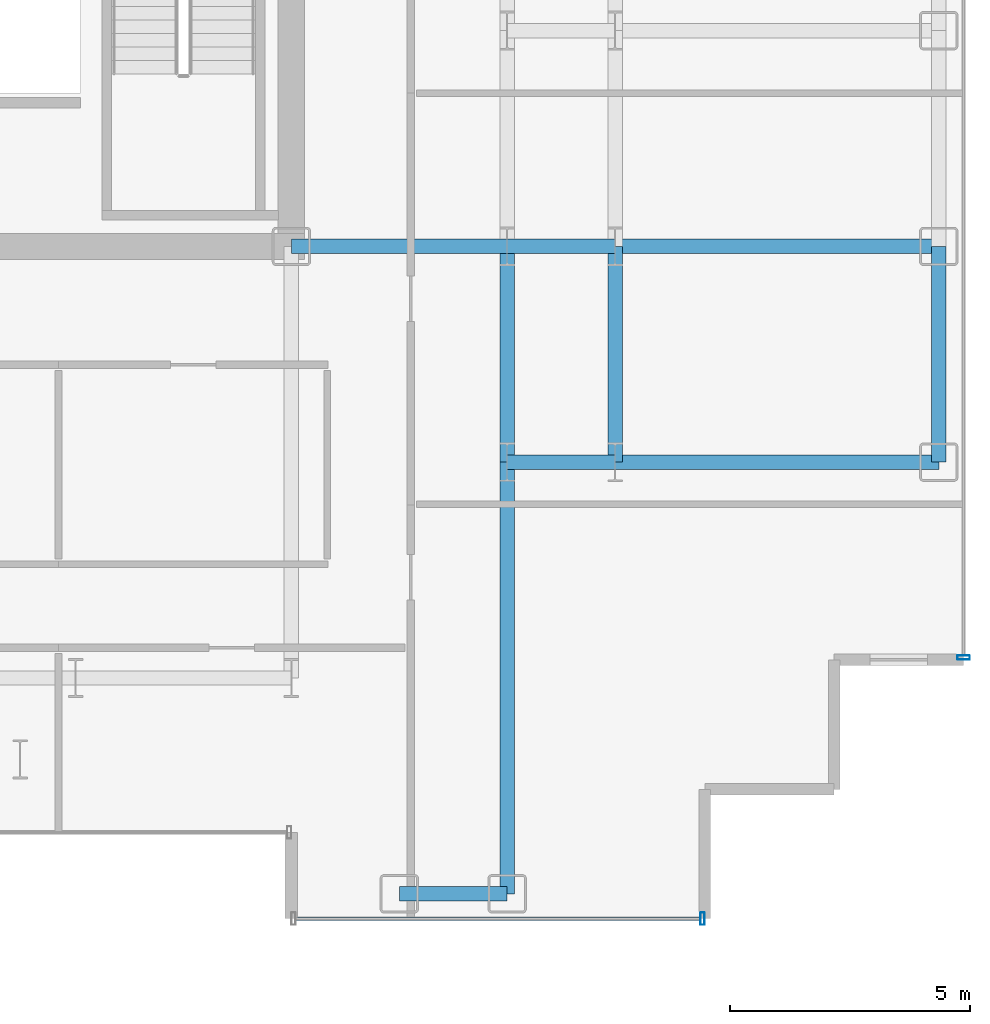
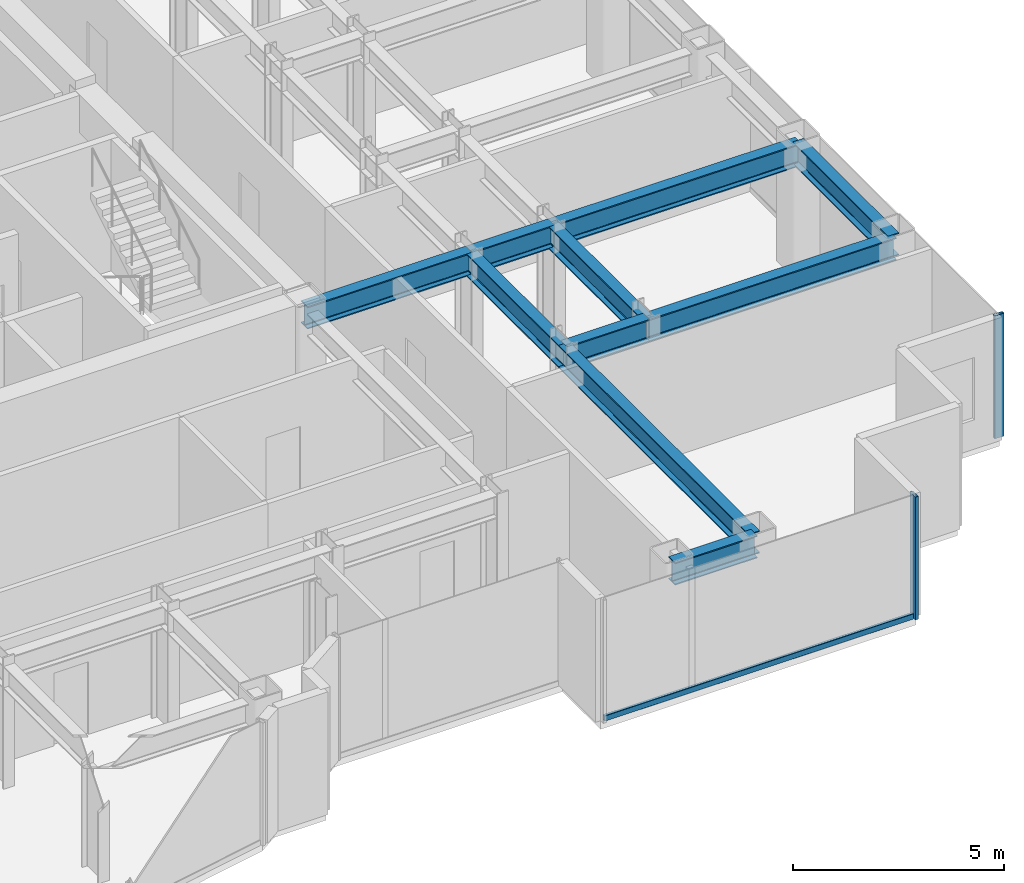
# One storey, part 8 of 23: 10 beams, 3 members, 2 elements without a shape of their own.
"""IFC4 building model written with IfcOpenShell, lengths in metres."""

from ifc_helpers import new_model, si_unit, direction, frame, origin, origin_2d, place, context, subcontext, project, spatial, hollow_rectangle, i_section, extrude, source, transform, mapped, material, layer, layer_set, material_profile, profile_set, type_object, element, aggregate, save


model = new_model("IFC4")

# Units and contexts
model_context = context("Model", 3, precision=1e-05, world=origin(), true_north=direction((0.0, 1.0)))
body_context = subcontext(model_context, "Body", "Model", "MODEL_VIEW")
ifc_project = project(units=[si_unit("LENGTHUNIT", "METRE"), si_unit("AREAUNIT", "SQUARE_METRE"), si_unit("VOLUMEUNIT", "CUBIC_METRE"), si_unit("PLANEANGLEUNIT", "RADIAN"), si_unit("MASSUNIT", "GRAM", prefix="KILO")], contexts=[model_context])

# Site, building, storey
site_placement = place(None, origin())
site = spatial("IfcSite", under=ifc_project, at=site_placement, CompositionType="ELEMENT")
building_placement = place(site_placement, origin())
building = spatial("IfcBuilding", under=site, at=building_placement, Name="Nefas-Gora Pilgrimage Tower", CompositionType="ELEMENT")
storey_placement = place(building_placement, frame((0.0, 0.0, 190.60009765625)))
storey = spatial("IfcBuildingStorey", under=building, at=storey_placement, Name="L47", CompositionType="ELEMENT", Elevation=190.60009765625)

# Beams
ifc_material_1 = material(Name="Steel S355", Category="steel")
ifc_material_profile_1 = material_profile(ifc_material_1, i_section(OverallWidth=0.300048828125, OverallDepth=0.64990234375, WebThickness=0.01611328125, FlangeThickness=0.031005859375, FilletRadius=0.027099609375, at=origin_2d()), Name="HEB 650")
ifc_profile_set_1 = profile_set([ifc_material_profile_1], Name="Steel S355")
beam_type_1 = type_object("IfcBeamType", Name="BM-SPN-HEB500", PredefinedType="SPANDREL", material=ifc_profile_set_1)
shared_shape_1 = source(origin(), body_context, "Body", "SweptSolid", [
    extrude(i_section(OverallWidth=0.300048828125, OverallDepth=0.64990234375, WebThickness=0.01611328125, FlangeThickness=0.031005859375, FilletRadius=0.027099609375, at=origin_2d()), origin(), (0.0, 0.0, 1.0), 4.5),
])
beam_1_placement = place(storey_placement, frame((24.75, -13.5, 3.224853515625), z_axis=(0.0, 1.0, 0.0), x_axis=(-1.0, 0.0, 0.0)))
element("IfcBeam", 1, at=beam_1_placement, inside=storey, type_object=beam_type_1, Name="L47 SP-02 beam", PredefinedType="SPANDREL", context=body_context, shape_type="MappedRepresentation", body=[
    mapped(shared_shape_1, transform((0.0, 0.0, 0.0), x_axis=(1.0, 0.0, 0.0), y_axis=(0.0, 1.0, 0.0), z_axis=(0.0, 0.0, 1.0), scale=1.0)),
])
ifc_material_profile_2 = material_profile(ifc_material_1, i_section(OverallWidth=0.300048828125, OverallDepth=0.64990234375, WebThickness=0.01611328125, FlangeThickness=0.031005859375, FilletRadius=0.027099609375, at=origin_2d()), Name="HEB 650")
ifc_profile_set_2 = profile_set([ifc_material_profile_2], Name="Steel S355")
beam_type_2 = type_object("IfcBeamType", Name="BM-GIR-HEB650", PredefinedType="BEAM", material=ifc_profile_set_2)
shared_shape_2 = source(origin(), body_context, "Body", "SweptSolid", [
    extrude(i_section(OverallWidth=0.300048828125, OverallDepth=0.64990234375, WebThickness=0.01611328125, FlangeThickness=0.031005859375, FilletRadius=0.027099609375, at=origin_2d()), origin(), (0.0, 0.0, 1.0), 9.0),
])
beam_2_placement = place(storey_placement, frame((15.75, -22.5, 3.224853515625), z_axis=(0.0, 1.0, 0.0), x_axis=(-1.0, 0.0, 0.0)))
element("IfcBeam", 2, at=beam_2_placement, inside=storey, type_object=beam_type_2, Name="L47 G-03 beam", PredefinedType="BEAM", context=body_context, shape_type="MappedRepresentation", body=[
    mapped(shared_shape_2, transform((0.0, 0.0, 0.0), x_axis=(1.0, 0.0, 0.0), y_axis=(0.0, 1.0, 0.0), z_axis=(0.0, 0.0, 1.0), scale=1.0)),
])
shared_shape_3 = source(origin(), body_context, "Body", "SweptSolid", [
    extrude(i_section(OverallWidth=0.300048828125, OverallDepth=0.64990234375, WebThickness=0.01611328125, FlangeThickness=0.031005859375, FilletRadius=0.027099609375, at=origin_2d()), origin(), (0.0, 0.0, 1.0), 4.5),
])
for number, where, z_axis, x_axis, name in (
    (3, (11.25, -9.0, 3.224853515625), (1.0, 0.0, 0.0), (0.0, 1.0, 0.0), "L47 G-03 beam"),
    (4, (15.75, -13.5, 3.224853515625), (0.0, 1.0, 0.0), (-1.0, 0.0, 0.0), "L47 G-03 beam"),
    (5, (18.0, -13.5, 3.224853515625), (0.0, 1.0, 0.0), (-1.0, 0.0, 0.0), "L47 G-03 beam"),
):
    element("IfcBeam", number, at=place(storey_placement, frame(where, z_axis=z_axis, x_axis=x_axis)), inside=storey, type_object=beam_type_2, Name=name, PredefinedType="BEAM", context=body_context, shape_type="MappedRepresentation", body=[
        mapped(shared_shape_3, transform((0.0, 0.0, 0.0), x_axis=(1.0, 0.0, 0.0), y_axis=(0.0, 1.0, 0.0), z_axis=(0.0, 0.0, 1.0), scale=1.0)),
    ])
shared_shape_4 = source(origin(), body_context, "Body", "SweptSolid", [
    extrude(i_section(OverallWidth=0.300048828125, OverallDepth=0.64990234375, WebThickness=0.01611328125, FlangeThickness=0.031005859375, FilletRadius=0.027099609375, at=origin_2d()), origin(), (0.0, 0.0, 1.0), 6.75),
])
for number, where, z_axis, x_axis, name in (
    (6, (18.0, -13.5, 3.224853515625), (1.0, 0.0, 0.0), (0.0, 1.0, 0.0), "L47 G-03 beam"),
    (7, (18.0, -9.0, 3.224853515625), (1.0, 0.0, 0.0), (0.0, 1.0, 0.0), "L47 G-03 beam"),
):
    element("IfcBeam", number, at=place(storey_placement, frame(where, z_axis=z_axis, x_axis=x_axis)), inside=storey, type_object=beam_type_2, Name=name, PredefinedType="BEAM", context=body_context, shape_type="MappedRepresentation", body=[
        mapped(shared_shape_4, transform((0.0, 0.0, 0.0), x_axis=(1.0, 0.0, 0.0), y_axis=(0.0, 1.0, 0.0), z_axis=(0.0, 0.0, 1.0), scale=1.0)),
    ])
shared_shape_5 = source(origin(), body_context, "Body", "SweptSolid", [
    extrude(i_section(OverallWidth=0.300048828125, OverallDepth=0.64990234375, WebThickness=0.01611328125, FlangeThickness=0.031005859375, FilletRadius=0.027099609375, at=origin_2d()), origin(), (0.0, 0.0, 1.0), 2.25),
])
beam_3_placement = place(storey_placement, frame((13.5, -22.5, 3.224853515625), z_axis=(1.0, 0.0, 0.0), x_axis=(0.0, 1.0, 0.0)))
element("IfcBeam", 8, at=beam_3_placement, inside=storey, type_object=beam_type_1, Name="L47 SP-02 beam", PredefinedType="SPANDREL", context=body_context, shape_type="MappedRepresentation", body=[
    mapped(shared_shape_5, transform((0.0, 0.0, 0.0), x_axis=(1.0, 0.0, 0.0), y_axis=(0.0, 1.0, 0.0), z_axis=(0.0, 0.0, 1.0), scale=1.0)),
])
shared_shape_6 = source(origin(), body_context, "Body", "SweptSolid", [
    extrude(i_section(OverallWidth=0.300048828125, OverallDepth=0.64990234375, WebThickness=0.01611328125, FlangeThickness=0.031005859375, FilletRadius=0.027099609375, at=origin_2d()), origin(), (0.0, 0.0, 1.0), 2.25),
])
for number, where, z_axis, x_axis, name in (
    (9, (15.75, -13.5, 3.224853515625), (1.0, 0.0, 0.0), (0.0, 1.0, 0.0), "L47 G-03 beam"),
    (10, (15.75, -9.0, 3.224853515625), (1.0, 0.0, 0.0), (0.0, 1.0, 0.0), "L47 G-03 beam"),
):
    element("IfcBeam", number, at=place(storey_placement, frame(where, z_axis=z_axis, x_axis=x_axis)), inside=storey, type_object=beam_type_2, Name=name, PredefinedType="BEAM", context=body_context, shape_type="MappedRepresentation", body=[
        mapped(shared_shape_6, transform((0.0, 0.0, 0.0), x_axis=(1.0, 0.0, 0.0), y_axis=(0.0, 1.0, 0.0), z_axis=(0.0, 0.0, 1.0), scale=1.0)),
    ])

# Curtain wall, members
ifc_material_2 = material(Name="Dark ceramic-fritted solar-control aluminium-glass curtain wall", Category="aluminium")
ifc_layer = layer(ifc_material_2, 0.219970703125)
ifc_layer_set = layer_set([ifc_layer], Name="Dark ceramic-fritted solar-control aluminium-glass curtain wall")
curtain_wall_type = type_object("IfcCurtainWallType", Name="CW-SYS-3", PredefinedType="NOTDEFINED", material=ifc_layer_set)
curtain_wall_1_placement = place(storey_placement, origin())
curtain_wall_1 = element("IfcCurtainWall", 11, at=curtain_wall_1_placement, inside=storey, type_object=curtain_wall_type, Name="L47 Unitised Curtain Wall CW3", PredefinedType="NOTDEFINED")
ifc_material_3 = material(Name="Anodised architectural aluminium", Category="aluminium")
ifc_material_profile_3 = material_profile(ifc_material_3, hollow_rectangle(XDim=0.080078125, YDim=0.159912109375, WallThickness=0.00439453125, InnerFilletRadius=0.00439453125, OuterFilletRadius=0.009033203125, at=origin_2d()), Name="ALU TRANSOM 80x160")
ifc_profile_set_3 = profile_set([ifc_material_profile_3], Name="Anodised architectural aluminium")
member_type_1 = type_object("IfcMemberType", Name="CWM-TRN-3", PredefinedType="USERDEFINED", material=ifc_profile_set_3)
shared_shape_7 = source(origin(), body_context, "Body", "SweptSolid", [
    extrude(hollow_rectangle(XDim=0.080078125, YDim=0.159912109375, WallThickness=0.00439453125, InnerFilletRadius=0.00439453125, OuterFilletRadius=0.009033203125, at=origin_2d()), origin(), (0.0, 0.0, 1.0), 8.43994140625),
])
member_1_placement = place(storey_placement, frame((11.340087890625, -23.02001953125, 0.0498046875), z_axis=(1.0, 0.0, 0.0), x_axis=(0.0, 1.0, 0.0)))
member_1 = element("IfcMember", 12, at=member_1_placement, type_object=member_type_1, Name="CW3 Spandrel Transom", ObjectType="TRANSOM", PredefinedType="USERDEFINED", context=body_context, shape_type="MappedRepresentation", body=[
    mapped(shared_shape_7, transform((0.0, 0.0, 0.0), x_axis=(1.0, 0.0, 0.0), y_axis=(0.0, 1.0, 0.0), z_axis=(0.0, 0.0, 1.0), scale=1.0)),
])
ifc_material_profile_4 = material_profile(ifc_material_3, hollow_rectangle(XDim=0.090087890625, YDim=0.260009765625, WallThickness=0.006103515625, InnerFilletRadius=0.006103515625, OuterFilletRadius=0.011962890625, at=origin_2d()), Name="ALU MULLION 90x260")
ifc_profile_set_4 = profile_set([ifc_material_profile_4], Name="Anodised architectural aluminium")
member_type_2 = type_object("IfcMemberType", Name="CWM-MUL-3", PredefinedType="MULLION", material=ifc_profile_set_4)
shared_shape_8 = source(origin(), body_context, "Body", "SweptSolid", [
    extrude(hollow_rectangle(XDim=0.090087890625, YDim=0.260009765625, WallThickness=0.006103515625, InnerFilletRadius=0.006103515625, OuterFilletRadius=0.011962890625, at=origin_2d()), origin(), (0.0, 0.0, 1.0), 3.5498046875),
])
member_2_placement = place(storey_placement, frame((19.824951171875, -23.02001953125, 0.0), z_axis=(0.0, 0.0, 1.0), x_axis=(1.0, 0.0, 0.0)))
member_2 = element("IfcMember", 13, at=member_2_placement, type_object=member_type_2, Name="CW3 Mullion 2", PredefinedType="MULLION", context=body_context, shape_type="MappedRepresentation", body=[
    mapped(shared_shape_8, transform((0.0, 0.0, 0.0), x_axis=(1.0, 0.0, 0.0), y_axis=(0.0, 1.0, 0.0), z_axis=(0.0, 0.0, 1.0), scale=1.0)),
])
aggregate(curtain_wall_1, [member_2, member_1])

# Curtain wall, member
curtain_wall_2_placement = place(storey_placement, origin())
curtain_wall_2 = element("IfcCurtainWall", 14, at=curtain_wall_2_placement, inside=storey, type_object=curtain_wall_type, Name="L47 Unitised Curtain Wall CW3", PredefinedType="NOTDEFINED")
member_3_placement = place(storey_placement, frame((25.27001953125, -17.574951171875, 0.0), z_axis=(0.0, 0.0, 1.0), x_axis=(0.0, 1.0, 0.0)))
member_3 = element("IfcMember", 15, at=member_3_placement, type_object=member_type_2, Name="CW3 Mullion 1", PredefinedType="MULLION", context=body_context, shape_type="MappedRepresentation", body=[
    mapped(shared_shape_8, transform((0.0, 0.0, 0.0), x_axis=(1.0, 0.0, 0.0), y_axis=(0.0, 1.0, 0.0), z_axis=(0.0, 0.0, 1.0), scale=1.0)),
])
aggregate(curtain_wall_2, [member_3])

save(model, "model.ifc")
